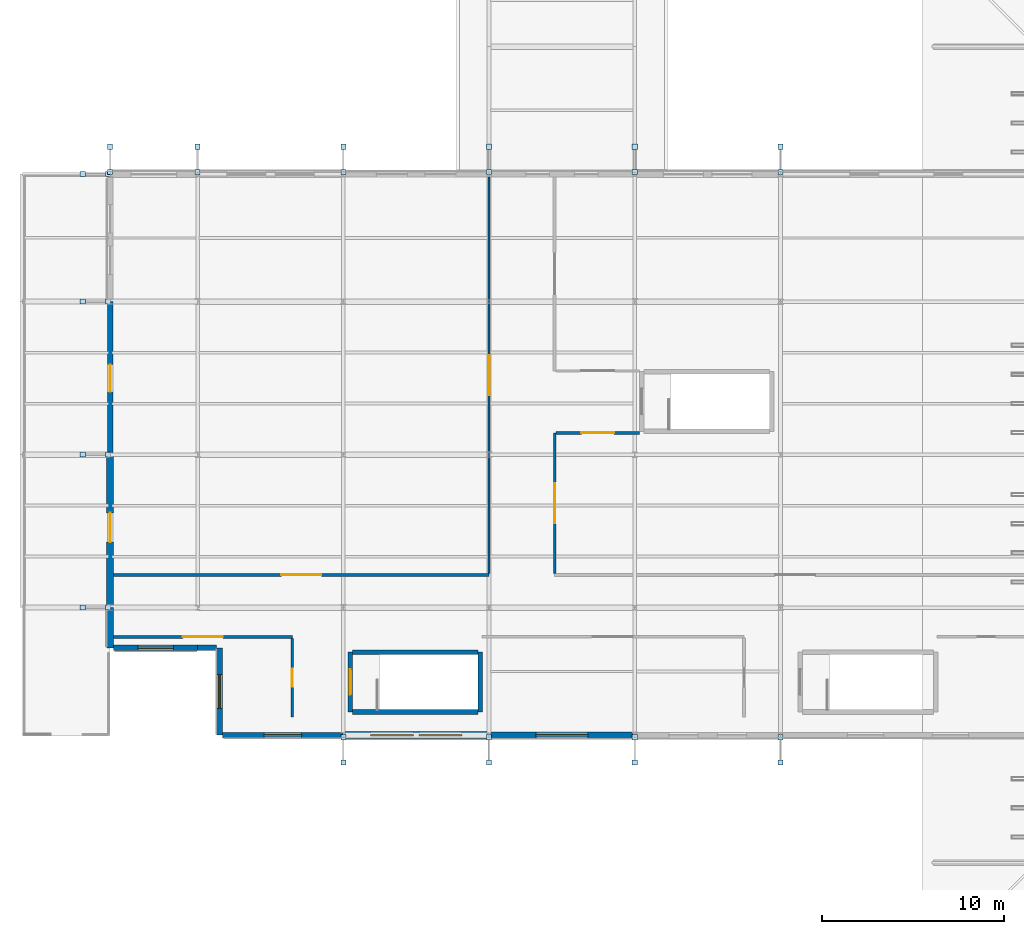
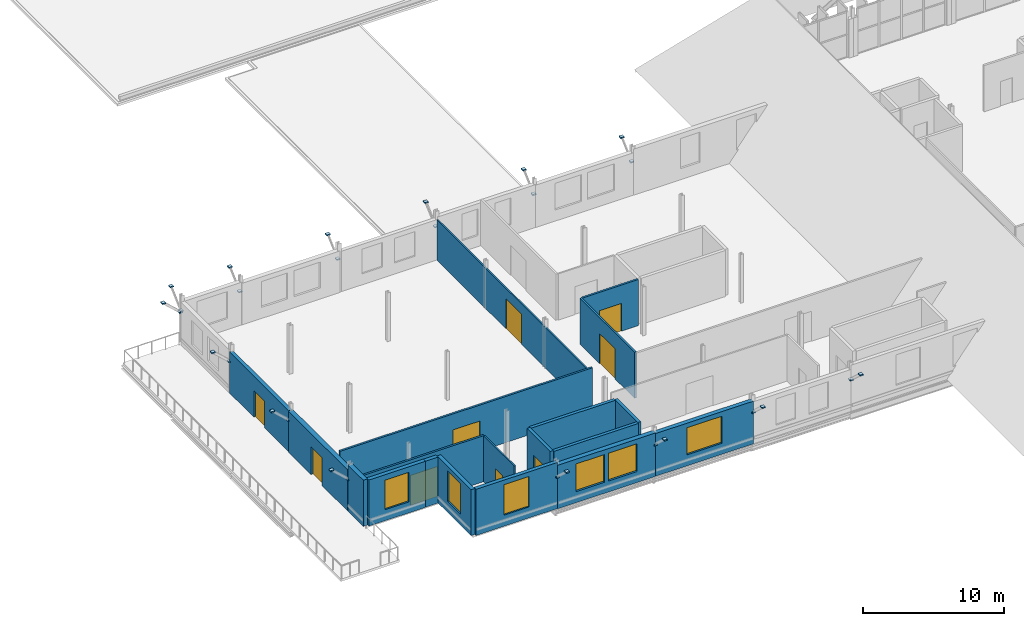
# One storey, part 79 of 93: 28 plates, 19 walls, 9 doors, 6 windows, 15 openings.
"""IFC4 building model written with IfcOpenShell, lengths in metres."""

from ifc_helpers import new_model, si_unit, direction, frame, frame_2d, origin, origin_2d, place, context, subcontext, project, spatial, rectangle, extrude, material, layer, layer_set, type_object, element, fill, save


model = new_model("IFC4")

# Units and contexts
model_context = context("Model", 3, precision=1e-05, world=origin(), true_north=direction((0.0, 1.0)))
body_context = subcontext(model_context, "Body", "Model", "MODEL_VIEW")
ifc_project = project(units=[si_unit("LENGTHUNIT", "METRE"), si_unit("AREAUNIT", "SQUARE_METRE"), si_unit("VOLUMEUNIT", "CUBIC_METRE"), si_unit("PLANEANGLEUNIT", "RADIAN"), si_unit("MASSUNIT", "GRAM", prefix="KILO")], contexts=[model_context])

# Site, building, storey
site_placement = place(None, origin())
site = spatial("IfcSite", under=ifc_project, at=site_placement, CompositionType="ELEMENT")
building_placement = place(site_placement, origin())
building = spatial("IfcBuilding", under=site, at=building_placement, Name="Vekula Escarpment Museum", CompositionType="ELEMENT")
storey_placement = place(building_placement, frame((0.0, 0.0, 22.199951171875)))
storey = spatial("IfcBuildingStorey", under=building, at=storey_placement, Name="L05", CompositionType="ELEMENT", Elevation=22.199951171875)

# Plates
ifc_material_1 = material(Name="Steel S355", Category="steel")
ifc_layer_1 = layer(ifc_material_1, 0.01611328125)
ifc_layer_set_1 = layer_set([ifc_layer_1], Name="Steel S355")
plate_type = type_object("IfcPlateType", Name="PL-CAP-16", PredefinedType="SHEET", material=ifc_layer_set_1)
for number, where, z_axis, x_axis, name in (
    (1, (19.085205078125, 59.60009765625, 2.694091796875), (0.0, 0.0, 1.0), (1.0, 0.0, 0.0), "Hollow section end cap CP-16"),
    (2, (17.694580078125, 59.60009765625, 3.9638671875), (0.0, 0.0, 1.0), (1.0, 0.0, 0.0), "Hollow section end cap CP-16"),
    (3, (19.085205078125, 68.0, 2.694091796875), (0.0, 0.0, 1.0), (1.0, 0.0, 0.0), "Hollow section end cap CP-16"),
    (4, (17.694580078125, 68.0, 3.9638671875), (0.0, 0.0, 1.0), (1.0, 0.0, 0.0), "Hollow section end cap CP-16"),
    (5, (19.085205078125, 76.39990234375, 2.694091796875), (0.0, 0.0, 1.0), (1.0, 0.0, 0.0), "Hollow section end cap CP-16"),
    (6, (17.694580078125, 76.39990234375, 3.9638671875), (0.0, 0.0, 1.0), (1.0, 0.0, 0.0), "Hollow section end cap CP-16"),
    (7, (19.085205078125, 83.39990234375, 2.694091796875), (0.0, 0.0, 1.0), (1.0, 0.0, 0.0), "Hollow section end cap CP-16"),
    (8, (17.694580078125, 83.39990234375, 3.9638671875), (0.0, 0.0, 1.0), (1.0, 0.0, 0.0), "Hollow section end cap CP-16"),
    (9, (19.199951171875, 83.5146484375, 2.694091796875), (0.0, 0.0, 1.0), (1.0, 0.0, 0.0), "Hollow section end cap CP-16"),
    (10, (19.199951171875, 84.9052734375, 3.9638671875), (0.0, 0.0, 1.0), (1.0, 0.0, 0.0), "Hollow section end cap CP-16"),
    (11, (24.0, 83.5146484375, 2.694091796875), (0.0, 0.0, 1.0), (1.0, 0.0, 0.0), "Hollow section end cap CP-16"),
    (12, (24.0, 84.9052734375, 3.9638671875), (0.0, 0.0, 1.0), (1.0, 0.0, 0.0), "Hollow section end cap CP-16"),
    (13, (32.0, 52.4853515625, 2.694091796875), (0.0, 0.0, 1.0), (1.0, 0.0, 0.0), "Hollow section end cap CP-16"),
    (14, (32.0, 51.0947265625, 3.9638671875), (0.0, 0.0, 1.0), (1.0, 0.0, 0.0), "Hollow section end cap CP-16"),
    (15, (32.0, 83.5146484375, 2.694091796875), (0.0, 0.0, 1.0), (1.0, 0.0, 0.0), "Hollow section end cap CP-16"),
    (16, (32.0, 84.9052734375, 3.9638671875), (0.0, 0.0, 1.0), (1.0, 0.0, 0.0), "Hollow section end cap CP-16"),
    (17, (40.0, 52.4853515625, 2.694091796875), (0.0, 0.0, 1.0), (1.0, 0.0, 0.0), "Hollow section end cap CP-16"),
    (18, (40.0, 51.0947265625, 3.9638671875), (0.0, 0.0, 1.0), (1.0, 0.0, 0.0), "Hollow section end cap CP-16"),
    (19, (40.0, 83.5146484375, 2.694091796875), (0.0, 0.0, 1.0), (1.0, 0.0, 0.0), "Hollow section end cap CP-16"),
    (20, (40.0, 84.9052734375, 3.9638671875), (0.0, 0.0, 1.0), (1.0, 0.0, 0.0), "Hollow section end cap CP-16"),
    (21, (48.0, 52.4853515625, 2.694091796875), (0.0, 0.0, 1.0), (1.0, 0.0, 0.0), "Hollow section end cap CP-16"),
    (22, (48.0, 51.0947265625, 3.9638671875), (0.0, 0.0, 1.0), (1.0, 0.0, 0.0), "Hollow section end cap CP-16"),
    (23, (48.0, 83.5146484375, 2.694091796875), (0.0, 0.0, 1.0), (1.0, 0.0, 0.0), "Hollow section end cap CP-16"),
    (24, (48.0, 84.9052734375, 3.9638671875), (0.0, 0.0, 1.0), (1.0, 0.0, 0.0), "Hollow section end cap CP-16"),
    (25, (56.0, 52.4853515625, 2.694091796875), (0.0, 0.0, 1.0), (1.0, 0.0, 0.0), "Hollow section end cap CP-16"),
    (26, (56.0, 51.0947265625, 3.9638671875), (0.0, 0.0, 1.0), (1.0, 0.0, 0.0), "Hollow section end cap CP-16"),
    (27, (56.0, 83.5146484375, 2.694091796875), (0.0, 0.0, 1.0), (1.0, 0.0, 0.0), "Hollow section end cap CP-16"),
    (28, (56.0, 84.9052734375, 3.9638671875), (0.0, 0.0, 1.0), (1.0, 0.0, 0.0), "Hollow section end cap CP-16"),
):
    element("IfcPlate", number, at=place(storey_placement, frame(where, z_axis=z_axis, x_axis=x_axis)), inside=storey, type_object=plate_type, Name=name, PredefinedType="SHEET", context=body_context, shape_type="SweptSolid", body=[
        extrude(rectangle(XDim=0.280029296875, YDim=0.280029296875, at=origin_2d()), origin(), (0.0, 0.0, 1.0), 0.10205078125),
    ])

# Wall, opening, window
ifc_material_2 = material(Name="Inkisi arkosic sandstone masonry", Category="masonry")
ifc_layer_2 = layer(ifc_material_2, 0.300048828125)
ifc_layer_set_2 = layer_set([ifc_layer_2], Name="Inkisi arkosic sandstone masonry")
wall_type_1 = type_object("IfcWallType", Name="WL-ALM-300", PredefinedType="SOLIDWALL", material=ifc_layer_set_2)
wall_1_placement = place(storey_placement, frame((32.0, 52.60009765625, 0.0), z_axis=(0.0, 0.0, 1.0), x_axis=(-1.0, 0.0, 0.0)))
wall_1 = element("IfcWall", 29, at=wall_1_placement, inside=storey, type_object=wall_type_1, Name="Exterior Wall WL-EXT-L05-0811", PredefinedType="SOLIDWALL", context=body_context, shape_type="SweptSolid", body=[
    extrude(rectangle(XDim=6.635986328125, YDim=0.300048828125, at=frame_2d((3.31787109375, 0.0))), origin(), (0.0, 0.0, 1.0), 3.97998046875),
])
opening_1_placement = place(wall_1_placement, frame((2.29296875, 0.0, 0.949951171875)))
opening_1 = element("IfcOpeningElement", 30, at=opening_1_placement, cuts=wall_1, Name="Opening WN-35", PredefinedType="OPENING", context=body_context, shape_type="SweptSolid", body=[
    extrude(rectangle(XDim=2.050048828125, YDim=2.6298828125, at=frame_2d((1.02490234375, 1.31494140625))), frame((0.0, 0.159912109375, 0.0), z_axis=(0.0, -1.0, 0.0), x_axis=(1.0, 0.0, 0.0)), (0.0, 0.0, 1.0), 0.320068359375),
])
ifc_material_3 = material(Name="Double solar-control low-E glass", Category="glass")
window_type_1 = type_object("IfcWindowType", Name="WN-GAL-20x34", PartitioningType="DOUBLE_PANEL_VERTICAL", PredefinedType="WINDOW", material=ifc_material_3)
window_1_placement = place(opening_1_placement, origin())
window_1 = element("IfcWindow", 31, at=window_1_placement, inside=storey, type_object=window_type_1, Name="Window L05-0447", OverallHeight=2.6298828125, OverallWidth=2.050048828125, PartitioningType="SINGLE_PANEL", PredefinedType="WINDOW", context=body_context, shape_type="SweptSolid", body=[
    extrude(rectangle(XDim=2.050048828125, YDim=2.6298828125, at=frame_2d((1.02490234375, 1.31494140625))), frame((0.0, 0.030029296875, 0.0), z_axis=(0.0, -1.0, 0.0), x_axis=(1.0, 0.0, 0.0)), (0.0, 0.0, 1.0), 0.06005859375),
])
fill(opening_1, window_1)

# Wall, opening, door
wall_2_placement = place(storey_placement, frame((19.199951171875, 68.0, 0.0), z_axis=(0.0, 0.0, 1.0), x_axis=(0.0, 1.0, 0.0)))
wall_2 = element("IfcWall", 32, at=wall_2_placement, inside=storey, type_object=wall_type_1, Name="Exterior Wall WL-EXT-L05-0867", PredefinedType="SOLIDWALL", context=body_context, shape_type="SweptSolid", body=[
    extrude(rectangle(XDim=8.39990234375, YDim=0.300048828125, at=frame_2d((4.199951171875, 0.0))), origin(), (0.0, 0.0, 1.0), 3.545166015625),
])
opening_2_placement = place(wall_2_placement, frame((3.449951171875, 0.0, 0.0)))
opening_2 = element("IfcOpeningElement", 33, at=opening_2_placement, cuts=wall_2, Name="Opening D-TR52", PredefinedType="OPENING", context=body_context, shape_type="SweptSolid", body=[
    extrude(rectangle(XDim=1.5, YDim=2.300048828125, at=frame_2d((0.75, 1.14990234375))), frame((0.0, 0.159912109375, 0.0), z_axis=(0.0, -1.0, 0.0), x_axis=(1.0, 0.0, 0.0)), (0.0, 0.0, 1.0), 0.320068359375),
])
ifc_material_4 = material(Name="Thermally broken glazed terrace door", Category="steel")
door_type_1 = type_object("IfcDoorType", Name="DR-TER-1500x2300", OperationType="NOTDEFINED", PredefinedType="DOOR", material=ifc_material_4)
door_1_placement = place(opening_2_placement, origin())
door_1 = element("IfcDoor", 34, at=door_1_placement, inside=storey, type_object=door_type_1, Name="Tier 4 Terrace Gallery Door D-TR52", OperationType="SINGLE_SWING_RIGHT", OverallHeight=2.300048828125, OverallWidth=1.5, PredefinedType="DOOR", context=body_context, shape_type="SweptSolid", body=[
    extrude(rectangle(XDim=1.5, YDim=2.300048828125, at=frame_2d((0.75, 1.14990234375))), frame((0.0, 0.02490234375, 0.0), z_axis=(0.0, -1.0, 0.0), x_axis=(1.0, 0.0, 0.0)), (0.0, 0.0, 1.0), 0.050048828125),
])
fill(opening_2, door_1)

# Wall
wall_3_placement = place(storey_placement, frame((25.035888671875, 57.39990234375, 0.0), z_axis=(0.0, 0.0, 1.0), x_axis=(-1.0, 0.0, 0.0)))
element("IfcWall", 35, at=wall_3_placement, inside=storey, type_object=wall_type_1, Name="Exterior Wall WL-EXT-L05-0871", PredefinedType="SOLIDWALL", context=body_context, shape_type="SweptSolid", body=[
    extrude(rectangle(XDim=1.035888671875, YDim=0.300048828125, at=frame_2d((0.51806640625, 0.0))), origin(), (0.0, 0.0, 1.0), 3.97998046875),
])

# Wall, opening, window
ifc_material_5 = material(Name="Inkisi arkosic sandstone masonry", Category="masonry")
ifc_layer_3 = layer(ifc_material_5, 0.320068359375)
ifc_layer_set_3 = layer_set([ifc_layer_3], Name="Inkisi arkosic sandstone masonry")
wall_type_2 = type_object("IfcWallType", Name="WL-ALM-320", PredefinedType="SOLIDWALL", material=ifc_layer_set_3)
wall_4_placement = place(storey_placement, frame((25.199951171875, 52.60009765625, 0.0), z_axis=(0.0, 0.0, 1.0), x_axis=(0.0, 1.0, 0.0)))
wall_4 = element("IfcWall", 36, at=wall_4_placement, inside=storey, type_object=wall_type_2, Name="Exterior Wall WL-EXT-L05-0810", PredefinedType="SOLIDWALL", context=body_context, shape_type="SweptSolid", body=[
    extrude(rectangle(XDim=4.7998046875, YDim=0.320068359375, at=frame_2d((2.39990234375, 0.0))), origin(), (0.0, 0.0, 1.0), 3.97998046875),
])
opening_3_placement = place(wall_4_placement, frame((1.47509765625, 0.0, 0.949951171875)))
opening_3 = element("IfcOpeningElement", 37, at=opening_3_placement, cuts=wall_4, Name="Opening WN-34", PredefinedType="OPENING", context=body_context, shape_type="SweptSolid", body=[
    extrude(rectangle(XDim=1.85009765625, YDim=2.6298828125, at=frame_2d((0.925048828125, 1.31494140625))), frame((0.0, 0.169921875, 0.0), z_axis=(0.0, -1.0, 0.0), x_axis=(1.0, 0.0, 0.0)), (0.0, 0.0, 1.0), 0.340087890625),
])
ifc_material_6 = material(Name="Double solar-control low-E glass", Category="glass")
window_type_2 = type_object("IfcWindowType", Name="WN-GAL-18x31", PartitioningType="DOUBLE_PANEL_VERTICAL", PredefinedType="WINDOW", material=ifc_material_6)
window_2_placement = place(opening_3_placement, origin())
window_2 = element("IfcWindow", 38, at=window_2_placement, inside=storey, type_object=window_type_2, Name="Window L05-0446", OverallHeight=2.6298828125, OverallWidth=1.85009765625, PartitioningType="SINGLE_PANEL", PredefinedType="WINDOW", context=body_context, shape_type="SweptSolid", body=[
    extrude(rectangle(XDim=1.85009765625, YDim=2.6298828125, at=frame_2d((0.925048828125, 1.31494140625))), frame((0.0, 0.030029296875, 0.0), z_axis=(0.0, -1.0, 0.0), x_axis=(1.0, 0.0, 0.0)), (0.0, 0.0, 1.0), 0.06005859375),
])
fill(opening_3, window_2)

wall_5_placement = place(storey_placement, frame((24.0, 57.39990234375, 0.0), z_axis=(0.0, 0.0, 1.0), x_axis=(-1.0, 0.0, 0.0)))
wall_5 = element("IfcWall", 39, at=wall_5_placement, inside=storey, type_object=wall_type_2, Name="Exterior Wall WL-EXT-L05-0870", PredefinedType="SOLIDWALL", context=body_context, shape_type="SweptSolid", body=[
    extrude(rectangle(XDim=4.62109375, YDim=0.320068359375, at=frame_2d((2.310546875, 0.0))), origin(), (0.0, 0.0, 1.0), 3.97998046875),
])
opening_4_placement = place(wall_5_placement, frame((1.33544921875, 0.0, 0.949951171875)))
opening_4 = element("IfcOpeningElement", 40, at=opening_4_placement, cuts=wall_5, Name="Opening WN-26", PredefinedType="OPENING", context=body_context, shape_type="SweptSolid", body=[
    extrude(rectangle(XDim=1.949951171875, YDim=2.550048828125, at=frame_2d((0.97509765625, 1.27490234375))), frame((0.0, 0.169921875, 0.0), z_axis=(0.0, -1.0, 0.0), x_axis=(1.0, 0.0, 0.0)), (0.0, 0.0, 1.0), 0.340087890625),
])
ifc_material_7 = material(Name="Double solar-control low-E glass", Category="glass")
window_type_3 = type_object("IfcWindowType", Name="WN-GAL-19x25", PartitioningType="DOUBLE_PANEL_VERTICAL", PredefinedType="WINDOW", material=ifc_material_7)
window_3_placement = place(opening_4_placement, origin())
window_3 = element("IfcWindow", 41, at=window_3_placement, inside=storey, type_object=window_type_3, Name="Window L05-0468", OverallHeight=2.550048828125, OverallWidth=1.949951171875, PartitioningType="SINGLE_PANEL", PredefinedType="WINDOW", context=body_context, shape_type="SweptSolid", body=[
    extrude(rectangle(XDim=1.949951171875, YDim=2.550048828125, at=frame_2d((0.97509765625, 1.27490234375))), frame((0.0, 0.030029296875, 0.0), z_axis=(0.0, -1.0, 0.0), x_axis=(1.0, 0.0, 0.0)), (0.0, 0.0, 1.0), 0.06005859375),
])
fill(opening_4, window_3)

ifc_material_8 = material(Name="Inkisi arkosic sandstone masonry", Category="masonry")
ifc_layer_4 = layer(ifc_material_8, 0.35009765625)
ifc_layer_set_4 = layer_set([ifc_layer_4], Name="Inkisi arkosic sandstone masonry")
wall_type_3 = type_object("IfcWallType", Name="WL-ALM-350", PredefinedType="SOLIDWALL", material=ifc_layer_set_4)
wall_6_placement = place(storey_placement, frame((48.0, 52.60009765625, 0.0), z_axis=(0.0, 0.0, 1.0), x_axis=(-1.0, 0.0, 0.0)))
wall_6 = element("IfcWall", 42, at=wall_6_placement, inside=storey, type_object=wall_type_3, Name="Exterior Wall WL-EXT-L05-0813", PredefinedType="SOLIDWALL", context=body_context, shape_type="SweptSolid", body=[
    extrude(rectangle(XDim=8.0, YDim=0.35009765625, at=frame_2d((4.0, 0.0))), origin(), (0.0, 0.0, 1.0), 3.68505859375),
])
opening_5_placement = place(wall_6_placement, frame((2.574951171875, 0.0, 0.949951171875)))
opening_5 = element("IfcOpeningElement", 43, at=opening_5_placement, cuts=wall_6, Name="Opening WN-38", PredefinedType="OPENING", context=body_context, shape_type="SweptSolid", body=[
    extrude(rectangle(XDim=2.85009765625, YDim=2.340087890625, at=frame_2d((1.425048828125, 1.169921875))), frame((0.0, 0.18505859375, 0.0), z_axis=(0.0, -1.0, 0.0), x_axis=(1.0, 0.0, 0.0)), (0.0, 0.0, 1.0), 0.3701171875),
])
ifc_material_9 = material(Name="Double solar-control low-E glass", Category="glass")
window_type_4 = type_object("IfcWindowType", Name="WN-GAL-28x42", PartitioningType="TRIPLE_PANEL_VERTICAL", PredefinedType="WINDOW", material=ifc_material_9)
window_4_placement = place(opening_5_placement, origin())
window_4 = element("IfcWindow", 44, at=window_4_placement, inside=storey, type_object=window_type_4, Name="Window L05-0450", OverallHeight=2.340087890625, OverallWidth=2.85009765625, PartitioningType="SINGLE_PANEL", PredefinedType="WINDOW", context=body_context, shape_type="SweptSolid", body=[
    extrude(rectangle(XDim=2.85009765625, YDim=2.340087890625, at=frame_2d((1.425048828125, 1.169921875))), frame((0.0, 0.030029296875, 0.0), z_axis=(0.0, -1.0, 0.0), x_axis=(1.0, 0.0, 0.0)), (0.0, 0.0, 1.0), 0.06005859375),
])
fill(opening_5, window_4)

# Wall
wall_7_placement = place(storey_placement, frame((19.199951171875, 57.39990234375, 0.0), z_axis=(0.0, 0.0, 1.0), x_axis=(0.0, 1.0, 0.0)))
element("IfcWall", 45, at=wall_7_placement, inside=storey, type_object=wall_type_3, Name="Exterior Wall WL-EXT-L05-0869", PredefinedType="SOLIDWALL", context=body_context, shape_type="SweptSolid", body=[
    extrude(rectangle(XDim=2.2001953125, YDim=0.35009765625, at=frame_2d((1.10009765625, 0.0))), origin(), (0.0, 0.0, 1.0), 3.97998046875),
])

# Wall, openings, windows
ifc_material_10 = material(Name="Inkisi arkosic sandstone masonry", Category="masonry")
ifc_layer_5 = layer(ifc_material_10, 0.3798828125)
ifc_layer_set_5 = layer_set([ifc_layer_5], Name="Inkisi arkosic sandstone masonry")
wall_type_4 = type_object("IfcWallType", Name="WL-ALM-380", PredefinedType="SOLIDWALL", material=ifc_layer_set_5)
wall_8_placement = place(storey_placement, frame((40.0, 52.60009765625, 0.0), z_axis=(0.0, 0.0, 1.0), x_axis=(-1.0, 0.0, 0.0)))
wall_8 = element("IfcWall", 46, at=wall_8_placement, inside=storey, type_object=wall_type_4, Name="Exterior Wall WL-EXT-L05-0812", PredefinedType="SOLIDWALL", context=body_context, shape_type="SweptSolid", body=[
    extrude(rectangle(XDim=8.0, YDim=0.3798828125, at=frame_2d((4.0, 0.0))), origin(), (0.0, 0.0, 1.0), 3.755126953125),
])
opening_6_placement = place(wall_8_placement, frame((1.49169921875, 0.0, 0.949951171875)))
opening_6 = element("IfcOpeningElement", 47, at=opening_6_placement, cuts=wall_8, Name="Opening WN-36", PredefinedType="OPENING", context=body_context, shape_type="SweptSolid", body=[
    extrude(rectangle(XDim=2.35009765625, YDim=2.39990234375, at=frame_2d((1.175048828125, 1.199951171875))), frame((0.0, 0.199951171875, 0.0), z_axis=(0.0, -1.0, 0.0), x_axis=(1.0, 0.0, 0.0)), (0.0, 0.0, 1.0), 0.39990234375),
])
opening_7_placement = place(wall_8_placement, frame((4.158203125, 0.0, 0.949951171875)))
opening_7 = element("IfcOpeningElement", 48, at=opening_7_placement, cuts=wall_8, Name="Opening WN-36", PredefinedType="OPENING", context=body_context, shape_type="SweptSolid", body=[
    extrude(rectangle(XDim=2.35009765625, YDim=2.39990234375, at=frame_2d((1.175048828125, 1.199951171875))), frame((0.0, 0.199951171875, 0.0), z_axis=(0.0, -1.0, 0.0), x_axis=(1.0, 0.0, 0.0)), (0.0, 0.0, 1.0), 0.39990234375),
])
ifc_material_11 = material(Name="Double solar-control low-E glass", Category="glass")
window_type_5 = type_object("IfcWindowType", Name="WN-GAL-23x36", PartitioningType="TRIPLE_PANEL_VERTICAL", PredefinedType="WINDOW", material=ifc_material_11)
window_5_placement = place(opening_6_placement, origin())
window_5 = element("IfcWindow", 49, at=window_5_placement, inside=storey, type_object=window_type_5, Name="Window L05-0448", OverallHeight=2.39990234375, OverallWidth=2.35009765625, PartitioningType="SINGLE_PANEL", PredefinedType="WINDOW", context=body_context, shape_type="SweptSolid", body=[
    extrude(rectangle(XDim=2.35009765625, YDim=2.39990234375, at=frame_2d((1.175048828125, 1.199951171875))), frame((0.0, 0.030029296875, 0.0), z_axis=(0.0, -1.0, 0.0), x_axis=(1.0, 0.0, 0.0)), (0.0, 0.0, 1.0), 0.06005859375),
])
fill(opening_6, window_5)
window_6_placement = place(opening_7_placement, origin())
window_6 = element("IfcWindow", 50, at=window_6_placement, inside=storey, type_object=window_type_5, Name="Window L05-0449", OverallHeight=2.39990234375, OverallWidth=2.35009765625, PartitioningType="SINGLE_PANEL", PredefinedType="WINDOW", context=body_context, shape_type="SweptSolid", body=[
    extrude(rectangle(XDim=2.35009765625, YDim=2.39990234375, at=frame_2d((1.175048828125, 1.199951171875))), frame((0.0, 0.030029296875, 0.0), z_axis=(0.0, -1.0, 0.0), x_axis=(1.0, 0.0, 0.0)), (0.0, 0.0, 1.0), 0.06005859375),
])
fill(opening_7, window_6)

# Wall, opening, door
wall_9_placement = place(storey_placement, frame((19.199951171875, 59.60009765625, 0.0), z_axis=(0.0, 0.0, 1.0), x_axis=(0.0, 1.0, 0.0)))
wall_9 = element("IfcWall", 51, at=wall_9_placement, inside=storey, type_object=wall_type_4, Name="Exterior Wall WL-EXT-L05-0868", PredefinedType="SOLIDWALL", context=body_context, shape_type="SweptSolid", body=[
    extrude(rectangle(XDim=8.39990234375, YDim=0.3798828125, at=frame_2d((4.199951171875, 0.0))), origin(), (0.0, 0.0, 1.0), 3.545166015625),
])
opening_8_placement = place(wall_9_placement, frame((3.60009765625, 0.0, 0.0)))
opening_8 = element("IfcOpeningElement", 52, at=opening_8_placement, cuts=wall_9, Name="Opening D-TR51", PredefinedType="OPENING", context=body_context, shape_type="SweptSolid", body=[
    extrude(rectangle(XDim=1.60009765625, YDim=2.39990234375, at=frame_2d((0.800048828125, 1.199951171875))), frame((0.0, 0.199951171875, 0.0), z_axis=(0.0, -1.0, 0.0), x_axis=(1.0, 0.0, 0.0)), (0.0, 0.0, 1.0), 0.39990234375),
])
ifc_material_12 = material(Name="Thermally broken glazed terrace door", Category="steel")
door_type_2 = type_object("IfcDoorType", Name="DR-TER-1600x2400", OperationType="NOTDEFINED", PredefinedType="DOOR", material=ifc_material_12)
door_2_placement = place(opening_8_placement, origin())
door_2 = element("IfcDoor", 53, at=door_2_placement, inside=storey, type_object=door_type_2, Name="Tier 4 Terrace Gallery Door D-TR51", OperationType="SINGLE_SWING_LEFT", OverallHeight=2.39990234375, OverallWidth=1.60009765625, PredefinedType="DOOR", context=body_context, shape_type="SweptSolid", body=[
    extrude(rectangle(XDim=1.60009765625, YDim=2.39990234375, at=frame_2d((0.800048828125, 1.199951171875))), frame((0.0, 0.02490234375, 0.0), z_axis=(0.0, -1.0, 0.0), x_axis=(1.0, 0.0, 0.0)), (0.0, 0.0, 1.0), 0.050048828125),
])
fill(opening_8, door_2)

ifc_material_13 = material(Name="Concrete C35/45", Category="concrete")
ifc_layer_6 = layer(ifc_material_13, 0.25)
ifc_layer_set_6 = layer_set([ifc_layer_6], Name="Concrete C35/45")
wall_type_5 = type_object("IfcWallType", Name="WL-CORE-250", PredefinedType="SHEAR", material=ifc_layer_set_6)
wall_10_placement = place(storey_placement, frame((32.375, 53.875, 0.0), z_axis=(0.0, 0.0, 1.0), x_axis=(0.0, 1.0, 0.0)))
wall_10 = element("IfcWall", 54, at=wall_10_placement, inside=storey, type_object=wall_type_5, Name="Stair Core Wall ST-04 L05 W", PredefinedType="SHEAR", context=body_context, shape_type="SweptSolid", body=[
    extrude(rectangle(XDim=3.2900390625, YDim=0.25, at=frame_2d((1.64501953125, 0.0))), origin(), (0.0, 0.0, 1.0), 3.97998046875),
])
opening_9_placement = place(wall_10_placement, frame((0.945068359375, 0.0, 0.0)))
opening_9 = element("IfcOpeningElement", 55, at=opening_9_placement, cuts=wall_10, Name="Opening DR-FD60", PredefinedType="OPENING", context=body_context, shape_type="SweptSolid", body=[
    extrude(rectangle(XDim=1.39990234375, YDim=2.199951171875, at=frame_2d((0.699951171875, 1.10009765625))), frame((0.0, 0.135009765625, 0.0), z_axis=(0.0, -1.0, 0.0), x_axis=(1.0, 0.0, 0.0)), (0.0, 0.0, 1.0), 0.27001953125),
])
ifc_material_14 = material(Name="Fire-rated steel stair door", Category="steel")
door_type_3 = type_object("IfcDoorType", Name="DR-STAIR-1400x2200", OperationType="NOTDEFINED", PredefinedType="DOOR", material=ifc_material_14)
door_3_placement = place(opening_9_placement, origin())
door_3 = element("IfcDoor", 56, at=door_3_placement, inside=storey, type_object=door_type_3, Name="Protected Exit Stair Door ST-04 L05", OperationType="SINGLE_SWING_LEFT", OverallHeight=2.199951171875, OverallWidth=1.39990234375, PredefinedType="DOOR", context=body_context, shape_type="SweptSolid", body=[
    extrude(rectangle(XDim=1.39990234375, YDim=2.199951171875, at=frame_2d((0.699951171875, 1.10009765625))), frame((0.0, 0.02490234375, 0.0), z_axis=(0.0, -1.0, 0.0), x_axis=(1.0, 0.0, 0.0)), (0.0, 0.0, 1.0), 0.050048828125),
])
fill(opening_9, door_3)

# Walls
wall_11_placement = place(storey_placement, frame((39.52490234375, 53.875, 0.0), z_axis=(0.0, 0.0, 1.0), x_axis=(0.0, 1.0, 0.0)))
element("IfcWall", 57, at=wall_11_placement, inside=storey, type_object=wall_type_5, Name="Stair Core Wall ST-04 L05 E", PredefinedType="SHEAR", context=body_context, shape_type="SweptSolid", body=[
    extrude(rectangle(XDim=3.2900390625, YDim=0.25, at=frame_2d((1.64501953125, 0.0))), origin(), (0.0, 0.0, 1.0), 3.97998046875),
])
for number, where, z_axis, x_axis, name in (
    (58, (32.50390625, 53.875, 0.0), (0.0, 0.0, 1.0), (1.0, 0.0, 0.0), "Stair Core Wall ST-04 L05 S"),
    (59, (32.50390625, 57.1650390625, 0.0), (0.0, 0.0, 1.0), (1.0, 0.0, 0.0), "Stair Core Wall ST-04 L05 N"),
):
    element("IfcWall", number, at=place(storey_placement, frame(where, z_axis=z_axis, x_axis=x_axis)), inside=storey, type_object=wall_type_5, Name=name, PredefinedType="SHEAR", context=body_context, shape_type="SweptSolid", body=[
        extrude(rectangle(XDim=6.89208984375, YDim=0.25, at=frame_2d((3.446044921875, 0.0))), origin(), (0.0, 0.0, 1.0), 3.97998046875),
    ])

# Wall, opening, door
ifc_material_15 = material(Name="Lightweight studio partition", Category="gypsum")
ifc_layer_7 = layer(ifc_material_15, 0.1201171875)
ifc_layer_set_7 = layer_set([ifc_layer_7], Name="Lightweight studio partition")
wall_type_6 = type_object("IfcWallType", Name="WL-PART-120", PredefinedType="PARTITIONING", material=ifc_layer_set_7)
wall_12_placement = place(storey_placement, frame((40.0, 61.48388671875, 0.0), z_axis=(0.0, 0.0, 1.0), x_axis=(0.0, 1.0, 0.0)))
wall_12 = element("IfcWall", 60, at=wall_12_placement, inside=storey, type_object=wall_type_6, Name="Interior Partition WL-INT-L05-0006", PredefinedType="PARTITIONING", context=body_context, shape_type="SweptSolid", body=[
    extrude(rectangle(XDim=21.752197265625, YDim=0.1201171875, at=frame_2d((10.8759765625, 0.0))), origin(), (0.0, 0.0, 1.0), 3.485107421875),
])
opening_10_placement = place(wall_12_placement, frame((9.77587890625, 0.0, 0.0)))
opening_10 = element("IfcOpeningElement", 61, at=opening_10_placement, cuts=wall_12, Name="Opening DR-GL22", PredefinedType="OPENING", context=body_context, shape_type="SweptSolid", body=[
    extrude(rectangle(XDim=2.199951171875, YDim=2.60009765625, at=frame_2d((1.10009765625, 1.300048828125))), frame((0.0, 0.070068359375, 0.0), z_axis=(0.0, -1.0, 0.0), x_axis=(1.0, 0.0, 0.0)), (0.0, 0.0, 1.0), 0.14013671875),
])
ifc_material_16 = material(Name="Double acoustic timber gallery door", Category="wood")
door_type_4 = type_object("IfcDoorType", Name="DR-GAL-2200x2600", OperationType="NOTDEFINED", PredefinedType="DOOR", material=ifc_material_16)
door_4_placement = place(opening_10_placement, origin())
door_4 = element("IfcDoor", 62, at=door_4_placement, inside=storey, type_object=door_type_4, Name="Interior Door L05-006", OperationType="SINGLE_SWING_RIGHT", OverallHeight=2.60009765625, OverallWidth=2.199951171875, PredefinedType="DOOR", context=body_context, shape_type="SweptSolid", body=[
    extrude(rectangle(XDim=2.199951171875, YDim=2.60009765625, at=frame_2d((1.10009765625, 1.300048828125))), frame((0.0, 0.02490234375, 0.0), z_axis=(0.0, -1.0, 0.0), x_axis=(1.0, 0.0, 0.0)), (0.0, 0.0, 1.0), 0.050048828125),
])
fill(opening_10, door_4)

wall_13_placement = place(storey_placement, frame((29.199951171875, 53.60009765625, 0.0), z_axis=(0.0, 0.0, 1.0), x_axis=(0.0, 1.0, 0.0)))
wall_13 = element("IfcWall", 63, at=wall_13_placement, inside=storey, type_object=wall_type_6, Name="Interior Partition WL-INT-L05-0012", PredefinedType="PARTITIONING", context=body_context, shape_type="SweptSolid", body=[
    extrude(rectangle(XDim=4.31591796875, YDim=0.1201171875, at=frame_2d((2.157958984375, 0.0))), origin(), (0.0, 0.0, 1.0), 3.97998046875),
])
opening_11_placement = place(wall_13_placement, frame((1.657958984375, 0.0, 0.0)))
opening_11 = element("IfcOpeningElement", 64, at=opening_11_placement, cuts=wall_13, Name="Opening DR-OF10", PredefinedType="OPENING", context=body_context, shape_type="SweptSolid", body=[
    extrude(rectangle(XDim=1.0, YDim=2.14990234375, at=frame_2d((0.5, 1.074951171875))), frame((0.0, 0.070068359375, 0.0), z_axis=(0.0, -1.0, 0.0), x_axis=(1.0, 0.0, 0.0)), (0.0, 0.0, 1.0), 0.14013671875),
])
ifc_material_17 = material(Name="Solid core timber study door", Category="wood")
door_type_5 = type_object("IfcDoorType", Name="DR-OFF-1000x2150", OperationType="NOTDEFINED", PredefinedType="DOOR", material=ifc_material_17)
door_5_placement = place(opening_11_placement, origin())
door_5 = element("IfcDoor", 65, at=door_5_placement, inside=storey, type_object=door_type_5, Name="Interior Door L05-012", OperationType="SINGLE_SWING_RIGHT", OverallHeight=2.14990234375, OverallWidth=1.0, PredefinedType="DOOR", context=body_context, shape_type="SweptSolid", body=[
    extrude(rectangle(XDim=1.0, YDim=2.14990234375, at=frame_2d((0.5, 1.074951171875))), frame((0.0, 0.02490234375, 0.0), z_axis=(0.0, -1.0, 0.0), x_axis=(1.0, 0.0, 0.0)), (0.0, 0.0, 1.0), 0.050048828125),
])
fill(opening_11, door_5)

ifc_material_18 = material(Name="Gypsum board dry-lined partition", Category="gypsum")
ifc_layer_8 = layer(ifc_material_18, 0.14990234375)
ifc_layer_set_8 = layer_set([ifc_layer_8], Name="Gypsum board dry-lined partition")
wall_type_7 = type_object("IfcWallType", Name="WL-PART-150", PredefinedType="PARTITIONING", material=ifc_layer_set_8)
wall_14_placement = place(storey_placement, frame((43.60009765625, 61.47900390625, 0.0), z_axis=(0.0, 0.0, 1.0), x_axis=(0.0, 1.0, 0.0)))
wall_14 = element("IfcWall", 66, at=wall_14_placement, inside=storey, type_object=wall_type_7, Name="Interior Partition WL-INT-L05-0008", PredefinedType="PARTITIONING", context=body_context, shape_type="SweptSolid", body=[
    extrude(rectangle(XDim=7.720947265625, YDim=0.14990234375, at=frame_2d((3.8603515625, 0.0))), origin(), (0.0, 0.0, 1.0), 3.97998046875),
])
opening_12_placement = place(wall_14_placement, frame((2.760498046875, 0.0, 0.0)))
opening_12 = element("IfcOpeningElement", 67, at=opening_12_placement, cuts=wall_14, Name="Opening DR-GL22", PredefinedType="OPENING", context=body_context, shape_type="SweptSolid", body=[
    extrude(rectangle(XDim=2.199951171875, YDim=2.60009765625, at=frame_2d((1.10009765625, 1.300048828125))), frame((0.0, 0.0849609375, 0.0), z_axis=(0.0, -1.0, 0.0), x_axis=(1.0, 0.0, 0.0)), (0.0, 0.0, 1.0), 0.169921875),
])
door_6_placement = place(opening_12_placement, origin())
door_6 = element("IfcDoor", 68, at=door_6_placement, inside=storey, type_object=door_type_4, Name="Interior Door L05-008", OperationType="SINGLE_SWING_RIGHT", OverallHeight=2.60009765625, OverallWidth=2.199951171875, PredefinedType="DOOR", context=body_context, shape_type="SweptSolid", body=[
    extrude(rectangle(XDim=2.199951171875, YDim=2.60009765625, at=frame_2d((1.10009765625, 1.300048828125))), frame((0.0, 0.02490234375, 0.0), z_axis=(0.0, -1.0, 0.0), x_axis=(1.0, 0.0, 0.0)), (0.0, 0.0, 1.0), 0.050048828125),
])
fill(opening_12, door_6)

ifc_material_19 = material(Name="Gypsum board gallery partition", Category="gypsum")
ifc_layer_9 = layer(ifc_material_19, 0.159912109375)
ifc_layer_set_9 = layer_set([ifc_layer_9], Name="Gypsum board gallery partition")
wall_type_8 = type_object("IfcWallType", Name="WL-PART-160", PredefinedType="PARTITIONING", material=ifc_layer_set_9)
wall_15_placement = place(storey_placement, frame((19.39404296875, 61.39990234375, 0.0), z_axis=(0.0, 0.0, 1.0), x_axis=(1.0, 0.0, 0.0)))
wall_15 = element("IfcWall", 69, at=wall_15_placement, inside=storey, type_object=wall_type_8, Name="Interior Partition WL-INT-L05-0001", PredefinedType="PARTITIONING", context=body_context, shape_type="SweptSolid", body=[
    extrude(rectangle(XDim=20.60595703125, YDim=0.159912109375, at=frame_2d((10.302978515625, 0.0))), origin(), (0.0, 0.0, 1.0), 3.97998046875),
])
opening_13_placement = place(wall_15_placement, frame((9.202880859375, 0.0, 0.0)))
opening_13 = element("IfcOpeningElement", 70, at=opening_13_placement, cuts=wall_15, Name="Opening DR-GL22", PredefinedType="OPENING", context=body_context, shape_type="SweptSolid", body=[
    extrude(rectangle(XDim=2.199951171875, YDim=2.60009765625, at=frame_2d((1.10009765625, 1.300048828125))), frame((0.0, 0.08984375, 0.0), z_axis=(0.0, -1.0, 0.0), x_axis=(1.0, 0.0, 0.0)), (0.0, 0.0, 1.0), 0.179931640625),
])
door_7_placement = place(opening_13_placement, origin())
door_7 = element("IfcDoor", 71, at=door_7_placement, inside=storey, type_object=door_type_4, Name="Interior Door L05-001", OperationType="SINGLE_SWING_LEFT", OverallHeight=2.60009765625, OverallWidth=2.199951171875, PredefinedType="DOOR", context=body_context, shape_type="SweptSolid", body=[
    extrude(rectangle(XDim=2.199951171875, YDim=2.60009765625, at=frame_2d((1.10009765625, 1.300048828125))), frame((0.0, 0.02490234375, 0.0), z_axis=(0.0, -1.0, 0.0), x_axis=(1.0, 0.0, 0.0)), (0.0, 0.0, 1.0), 0.050048828125),
])
fill(opening_13, door_7)

wall_16_placement = place(storey_placement, frame((19.37890625, 58.0, 0.0), z_axis=(0.0, 0.0, 1.0), x_axis=(1.0, 0.0, 0.0)))
wall_16 = element("IfcWall", 72, at=wall_16_placement, inside=storey, type_object=wall_type_8, Name="Interior Partition WL-INT-L05-0004", PredefinedType="PARTITIONING", context=body_context, shape_type="SweptSolid", body=[
    extrude(rectangle(XDim=9.821044921875, YDim=0.159912109375, at=frame_2d((4.91064453125, 0.0))), origin(), (0.0, 0.0, 1.0), 3.97998046875),
])
opening_14_placement = place(wall_16_placement, frame((3.810546875, 0.0, 0.0)))
opening_14 = element("IfcOpeningElement", 73, at=opening_14_placement, cuts=wall_16, Name="Opening DR-GL22", PredefinedType="OPENING", context=body_context, shape_type="SweptSolid", body=[
    extrude(rectangle(XDim=2.199951171875, YDim=2.60009765625, at=frame_2d((1.10009765625, 1.300048828125))), frame((0.0, 0.08984375, 0.0), z_axis=(0.0, -1.0, 0.0), x_axis=(1.0, 0.0, 0.0)), (0.0, 0.0, 1.0), 0.179931640625),
])
door_8_placement = place(opening_14_placement, origin())
door_8 = element("IfcDoor", 74, at=door_8_placement, inside=storey, type_object=door_type_4, Name="Interior Door L05-004", OperationType="SINGLE_SWING_RIGHT", OverallHeight=2.60009765625, OverallWidth=2.199951171875, PredefinedType="DOOR", context=body_context, shape_type="SweptSolid", body=[
    extrude(rectangle(XDim=2.199951171875, YDim=2.60009765625, at=frame_2d((1.10009765625, 1.300048828125))), frame((0.0, 0.02490234375, 0.0), z_axis=(0.0, -1.0, 0.0), x_axis=(1.0, 0.0, 0.0)), (0.0, 0.0, 1.0), 0.050048828125),
])
fill(opening_14, door_8)

wall_17_placement = place(storey_placement, frame((43.678955078125, 69.199951171875, 0.0), z_axis=(0.0, 0.0, 1.0), x_axis=(1.0, 0.0, 0.0)))
wall_17 = element("IfcWall", 75, at=wall_17_placement, inside=storey, type_object=wall_type_8, Name="Interior Partition WL-INT-L05-0010", PredefinedType="PARTITIONING", context=body_context, shape_type="SweptSolid", body=[
    extrude(rectangle(XDim=4.571044921875, YDim=0.159912109375, at=frame_2d((2.28564453125, 0.0))), origin(), (0.0, 0.0, 1.0), 3.97998046875),
])
opening_15_placement = place(wall_17_placement, frame((1.385498046875, 0.0, 0.0)))
opening_15 = element("IfcOpeningElement", 76, at=opening_15_placement, cuts=wall_17, Name="Opening DR-GL18", PredefinedType="OPENING", context=body_context, shape_type="SweptSolid", body=[
    extrude(rectangle(XDim=1.800048828125, YDim=2.39990234375, at=frame_2d((0.89990234375, 1.199951171875))), frame((0.0, 0.08984375, 0.0), z_axis=(0.0, -1.0, 0.0), x_axis=(1.0, 0.0, 0.0)), (0.0, 0.0, 1.0), 0.179931640625),
])
ifc_material_20 = material(Name="Double glazed gallery portal door", Category="steel")
door_type_6 = type_object("IfcDoorType", Name="DR-GAL-1800x2400", OperationType="NOTDEFINED", PredefinedType="DOOR", material=ifc_material_20)
door_9_placement = place(opening_15_placement, origin())
door_9 = element("IfcDoor", 77, at=door_9_placement, inside=storey, type_object=door_type_6, Name="Interior Door L05-010", OperationType="SINGLE_SWING_RIGHT", OverallHeight=2.39990234375, OverallWidth=1.800048828125, PredefinedType="DOOR", context=body_context, shape_type="SweptSolid", body=[
    extrude(rectangle(XDim=1.800048828125, YDim=2.39990234375, at=frame_2d((0.89990234375, 1.199951171875))), frame((0.0, 0.02490234375, 0.0), z_axis=(0.0, -1.0, 0.0), x_axis=(1.0, 0.0, 0.0)), (0.0, 0.0, 1.0), 0.050048828125),
])
fill(opening_15, door_9)

save(model, "model.ifc")
